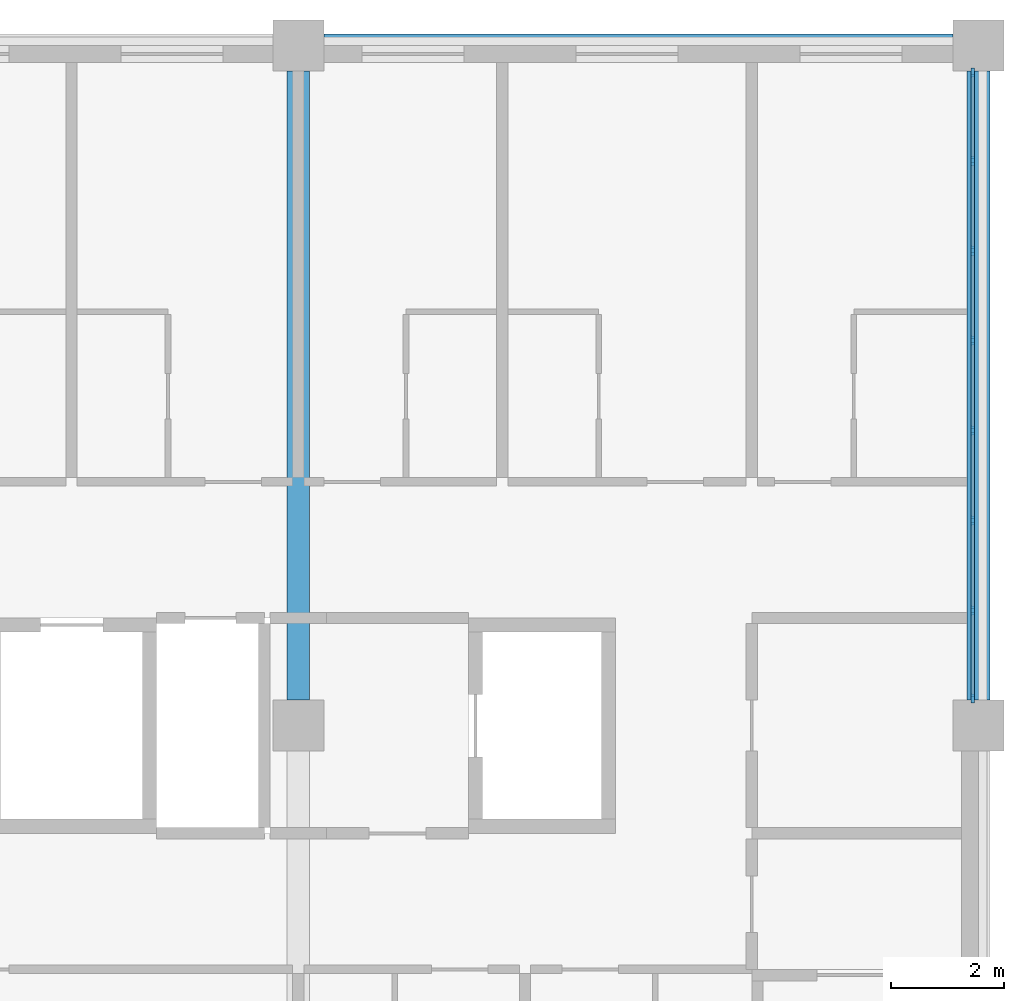
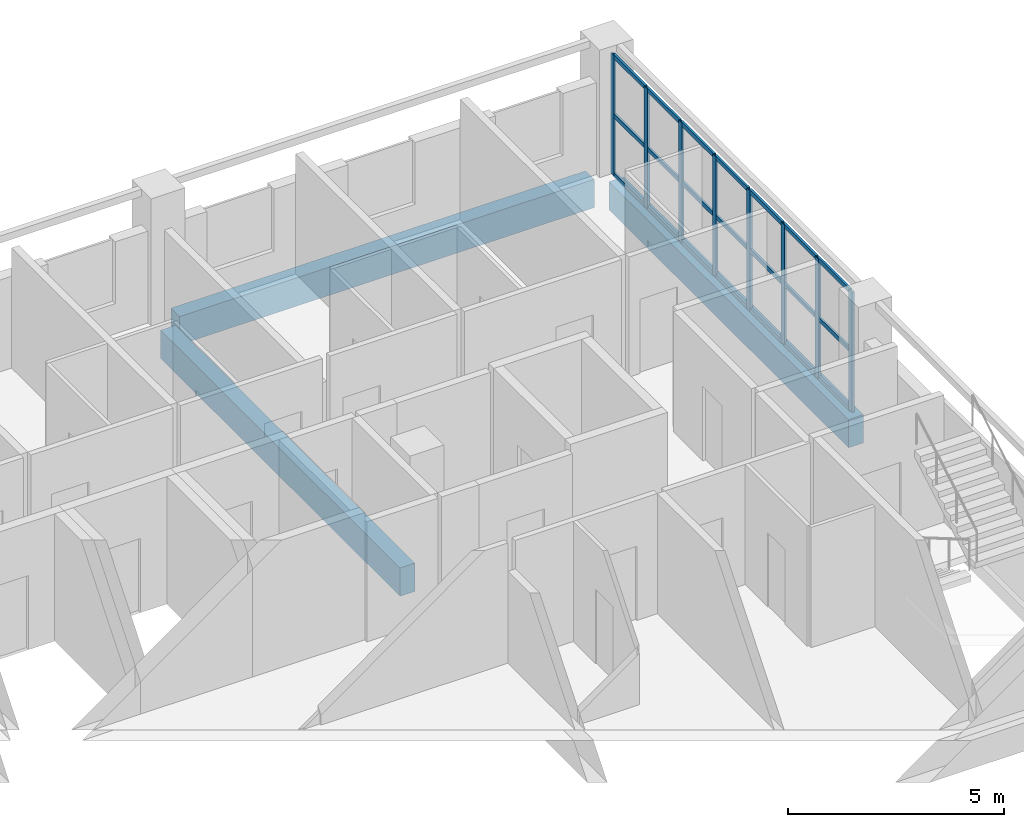
# One storey, part 4 of 11: 29 members, 3 beams, 1 element without a shape of its own.
"""IFC4 building model written with IfcOpenShell, lengths in metres."""

from ifc_helpers import new_model, si_unit, direction, frame, origin, origin_2d, place, context, subcontext, project, spatial, rectangle, extrude, material, layer, layer_set, material_profile, profile_set, type_object, element, aggregate, save


model = new_model("IFC4")

# Units and contexts
model_context = context("Model", 3, precision=1e-05, world=origin(), true_north=direction((0.0, 1.0)))
body_context = subcontext(model_context, "Body", "Model", "MODEL_VIEW")
ifc_project = project(units=[si_unit("LENGTHUNIT", "METRE"), si_unit("AREAUNIT", "SQUARE_METRE"), si_unit("VOLUMEUNIT", "CUBIC_METRE"), si_unit("PLANEANGLEUNIT", "RADIAN"), si_unit("MASSUNIT", "GRAM", prefix="KILO")], contexts=[model_context])

# Site, building, storey
site_placement = place(None, origin())
site = spatial("IfcSite", under=ifc_project, at=site_placement, CompositionType="ELEMENT")
building_placement = place(site_placement, origin())
building = spatial("IfcBuilding", under=site, at=building_placement, Name="Lilac Gate Convention Centre", CompositionType="ELEMENT")
storey_placement = place(building_placement, frame((0.0, 0.0, 31.800048828125)))
storey = spatial("IfcBuildingStorey", under=building, at=storey_placement, Name="L07", CompositionType="ELEMENT", Elevation=31.800048828125)

# Curtain wall, members
ifc_material_1 = material(Name="Aluminium framed double glazing", Category="aluminium")
ifc_layer = layer(ifc_material_1, 0.199951171875)
ifc_layer_set = layer_set([ifc_layer], Name="Aluminium framed double glazing")
curtain_wall_type = type_object("IfcCurtainWallType", Name="Unitised curtain wall 1500", PredefinedType="NOTDEFINED", material=ifc_layer_set)
curtain_wall_placement = place(storey_placement, origin())
curtain_wall = element("IfcCurtainWall", 1, at=curtain_wall_placement, inside=storey, type_object=curtain_wall_type, Name="Curtain wall E L07 2", PredefinedType="NOTDEFINED")
ifc_material_2 = material(Name="Aluminium alloy 6063", Category="aluminium")
ifc_material_profile_1 = material_profile(ifc_material_2, rectangle(XDim=0.06005859375, YDim=0.159912109375, at=origin_2d()), Name="Curtain wall mullion 60 x 160")
ifc_profile_set_1 = profile_set([ifc_material_profile_1], Name="Aluminium alloy 6063")
member_type_1 = type_object("IfcMemberType", Name="Curtain wall mullion 60 x 160", PredefinedType="MULLION", material=ifc_profile_set_1)
member_1_placement = place(storey_placement, frame((89.89990234375, 234.47998046875, 0.0), z_axis=(0.0, 0.0, 1.0), x_axis=(-1.0, 0.0, 0.0)))
member_1 = element("IfcMember", 2, at=member_1_placement, type_object=member_type_1, Name="CW mullion 1", PredefinedType="MULLION", context=body_context, shape_type="SweptSolid", body=[
    extrude(rectangle(XDim=0.06005859375, YDim=0.159912109375, at=origin_2d()), origin(), (0.0, 0.0, 1.0), 3.39990234375),
])
member_2_placement = place(storey_placement, frame((89.89990234375, 236.03564453125, 0.0), z_axis=(0.0, 0.0, 1.0), x_axis=(-1.0, 0.0, 0.0)))
member_2 = element("IfcMember", 3, at=member_2_placement, type_object=member_type_1, Name="CW mullion 2", PredefinedType="MULLION", context=body_context, shape_type="SweptSolid", body=[
    extrude(rectangle(XDim=0.06005859375, YDim=0.159912109375, at=origin_2d()), origin(), (0.0, 0.0, 1.0), 3.39990234375),
])
member_3_placement = place(storey_placement, frame((89.89990234375, 237.621337890625, 0.0), z_axis=(0.0, 0.0, 1.0), x_axis=(-1.0, 0.0, 0.0)))
member_3 = element("IfcMember", 4, at=member_3_placement, type_object=member_type_1, Name="CW mullion 3", PredefinedType="MULLION", context=body_context, shape_type="SweptSolid", body=[
    extrude(rectangle(XDim=0.06005859375, YDim=0.159912109375, at=origin_2d()), origin(), (0.0, 0.0, 1.0), 3.39990234375),
])
member_4_placement = place(storey_placement, frame((89.89990234375, 239.20703125, 0.0), z_axis=(0.0, 0.0, 1.0), x_axis=(-1.0, 0.0, 0.0)))
member_4 = element("IfcMember", 5, at=member_4_placement, type_object=member_type_1, Name="CW mullion 4", PredefinedType="MULLION", context=body_context, shape_type="SweptSolid", body=[
    extrude(rectangle(XDim=0.06005859375, YDim=0.159912109375, at=origin_2d()), origin(), (0.0, 0.0, 1.0), 3.39990234375),
])
member_5_placement = place(storey_placement, frame((89.89990234375, 240.79296875, 0.0), z_axis=(0.0, 0.0, 1.0), x_axis=(-1.0, 0.0, 0.0)))
member_5 = element("IfcMember", 6, at=member_5_placement, type_object=member_type_1, Name="CW mullion 5", PredefinedType="MULLION", context=body_context, shape_type="SweptSolid", body=[
    extrude(rectangle(XDim=0.06005859375, YDim=0.159912109375, at=origin_2d()), origin(), (0.0, 0.0, 1.0), 3.39990234375),
])
member_6_placement = place(storey_placement, frame((89.89990234375, 242.378662109375, 0.0), z_axis=(0.0, 0.0, 1.0), x_axis=(-1.0, 0.0, 0.0)))
member_6 = element("IfcMember", 7, at=member_6_placement, type_object=member_type_1, Name="CW mullion 6", PredefinedType="MULLION", context=body_context, shape_type="SweptSolid", body=[
    extrude(rectangle(XDim=0.06005859375, YDim=0.159912109375, at=origin_2d()), origin(), (0.0, 0.0, 1.0), 3.39990234375),
])
member_7_placement = place(storey_placement, frame((89.89990234375, 243.96435546875, 0.0), z_axis=(0.0, 0.0, 1.0), x_axis=(-1.0, 0.0, 0.0)))
member_7 = element("IfcMember", 8, at=member_7_placement, type_object=member_type_1, Name="CW mullion 7", PredefinedType="MULLION", context=body_context, shape_type="SweptSolid", body=[
    extrude(rectangle(XDim=0.06005859375, YDim=0.159912109375, at=origin_2d()), origin(), (0.0, 0.0, 1.0), 3.39990234375),
])
member_8_placement = place(storey_placement, frame((89.89990234375, 245.52001953125, 0.0), z_axis=(0.0, 0.0, 1.0), x_axis=(-1.0, 0.0, 0.0)))
member_8 = element("IfcMember", 9, at=member_8_placement, type_object=member_type_1, Name="CW mullion 8", PredefinedType="MULLION", context=body_context, shape_type="SweptSolid", body=[
    extrude(rectangle(XDim=0.06005859375, YDim=0.159912109375, at=origin_2d()), origin(), (0.0, 0.0, 1.0), 3.39990234375),
])
ifc_material_profile_2 = material_profile(ifc_material_2, rectangle(XDim=0.06005859375, YDim=0.1201171875, at=origin_2d()), Name="Curtain wall transom 60 x 120")
ifc_profile_set_2 = profile_set([ifc_material_profile_2], Name="Aluminium alloy 6063")
member_type_2 = type_object("IfcMemberType", Name="Curtain wall transom 60 x 120", PredefinedType="USERDEFINED", material=ifc_profile_set_2)
member_9_placement = place(storey_placement, frame((89.89990234375, 234.510009765625, 0.030029296875), z_axis=(0.0, 1.0, 0.0), x_axis=(-1.0, 0.0, 0.0)))
member_9 = element("IfcMember", 10, at=member_9_placement, type_object=member_type_2, Name="CW transom 1.1", ObjectType="TRANSOM", PredefinedType="USERDEFINED", context=body_context, shape_type="SweptSolid", body=[
    extrude(rectangle(XDim=0.06005859375, YDim=0.1201171875, at=origin_2d()), origin(), (0.0, 0.0, 1.0), 1.49560546875),
])
member_10_placement = place(storey_placement, frame((89.89990234375, 234.510009765625, 1.699951171875), z_axis=(0.0, 1.0, 0.0), x_axis=(-1.0, 0.0, 0.0)))
member_10 = element("IfcMember", 11, at=member_10_placement, type_object=member_type_2, Name="CW transom 1.2", ObjectType="TRANSOM", PredefinedType="USERDEFINED", context=body_context, shape_type="SweptSolid", body=[
    extrude(rectangle(XDim=0.06005859375, YDim=0.1201171875, at=origin_2d()), origin(), (0.0, 0.0, 1.0), 1.49560546875),
])
member_11_placement = place(storey_placement, frame((89.89990234375, 234.510009765625, 3.369873046875), z_axis=(0.0, 1.0, 0.0), x_axis=(-1.0, 0.0, 0.0)))
member_11 = element("IfcMember", 12, at=member_11_placement, type_object=member_type_2, Name="CW transom 1.3", ObjectType="TRANSOM", PredefinedType="USERDEFINED", context=body_context, shape_type="SweptSolid", body=[
    extrude(rectangle(XDim=0.06005859375, YDim=0.1201171875, at=origin_2d()), origin(), (0.0, 0.0, 1.0), 1.49560546875),
])
member_12_placement = place(storey_placement, frame((89.89990234375, 236.065673828125, 0.030029296875), z_axis=(0.0, 1.0, 0.0), x_axis=(-1.0, 0.0, 0.0)))
member_12 = element("IfcMember", 13, at=member_12_placement, type_object=member_type_2, Name="CW transom 2.1", ObjectType="TRANSOM", PredefinedType="USERDEFINED", context=body_context, shape_type="SweptSolid", body=[
    extrude(rectangle(XDim=0.06005859375, YDim=0.1201171875, at=origin_2d()), origin(), (0.0, 0.0, 1.0), 1.525634765625),
])
member_13_placement = place(storey_placement, frame((89.89990234375, 236.065673828125, 1.699951171875), z_axis=(0.0, 1.0, 0.0), x_axis=(-1.0, 0.0, 0.0)))
member_13 = element("IfcMember", 14, at=member_13_placement, type_object=member_type_2, Name="CW transom 2.2", ObjectType="TRANSOM", PredefinedType="USERDEFINED", context=body_context, shape_type="SweptSolid", body=[
    extrude(rectangle(XDim=0.06005859375, YDim=0.1201171875, at=origin_2d()), origin(), (0.0, 0.0, 1.0), 1.525634765625),
])
member_14_placement = place(storey_placement, frame((89.89990234375, 236.065673828125, 3.369873046875), z_axis=(0.0, 1.0, 0.0), x_axis=(-1.0, 0.0, 0.0)))
member_14 = element("IfcMember", 15, at=member_14_placement, type_object=member_type_2, Name="CW transom 2.3", ObjectType="TRANSOM", PredefinedType="USERDEFINED", context=body_context, shape_type="SweptSolid", body=[
    extrude(rectangle(XDim=0.06005859375, YDim=0.1201171875, at=origin_2d()), origin(), (0.0, 0.0, 1.0), 1.525634765625),
])
member_15_placement = place(storey_placement, frame((89.89990234375, 237.6513671875, 0.030029296875), z_axis=(0.0, 1.0, 0.0), x_axis=(-1.0, 0.0, 0.0)))
member_15 = element("IfcMember", 16, at=member_15_placement, type_object=member_type_2, Name="CW transom 3.1", ObjectType="TRANSOM", PredefinedType="USERDEFINED", context=body_context, shape_type="SweptSolid", body=[
    extrude(rectangle(XDim=0.06005859375, YDim=0.1201171875, at=origin_2d()), origin(), (0.0, 0.0, 1.0), 1.52587890625),
])
member_16_placement = place(storey_placement, frame((89.89990234375, 237.6513671875, 1.699951171875), z_axis=(0.0, 1.0, 0.0), x_axis=(-1.0, 0.0, 0.0)))
member_16 = element("IfcMember", 17, at=member_16_placement, type_object=member_type_2, Name="CW transom 3.2", ObjectType="TRANSOM", PredefinedType="USERDEFINED", context=body_context, shape_type="SweptSolid", body=[
    extrude(rectangle(XDim=0.06005859375, YDim=0.1201171875, at=origin_2d()), origin(), (0.0, 0.0, 1.0), 1.52587890625),
])
member_17_placement = place(storey_placement, frame((89.89990234375, 237.6513671875, 3.369873046875), z_axis=(0.0, 1.0, 0.0), x_axis=(-1.0, 0.0, 0.0)))
member_17 = element("IfcMember", 18, at=member_17_placement, type_object=member_type_2, Name="CW transom 3.3", ObjectType="TRANSOM", PredefinedType="USERDEFINED", context=body_context, shape_type="SweptSolid", body=[
    extrude(rectangle(XDim=0.06005859375, YDim=0.1201171875, at=origin_2d()), origin(), (0.0, 0.0, 1.0), 1.52587890625),
])
member_18_placement = place(storey_placement, frame((89.89990234375, 239.237060546875, 0.030029296875), z_axis=(0.0, 1.0, 0.0), x_axis=(-1.0, 0.0, 0.0)))
member_18 = element("IfcMember", 19, at=member_18_placement, type_object=member_type_2, Name="CW transom 4.1", ObjectType="TRANSOM", PredefinedType="USERDEFINED", context=body_context, shape_type="SweptSolid", body=[
    extrude(rectangle(XDim=0.06005859375, YDim=0.1201171875, at=origin_2d()), origin(), (0.0, 0.0, 1.0), 1.52587890625),
])
member_19_placement = place(storey_placement, frame((89.89990234375, 239.237060546875, 1.699951171875), z_axis=(0.0, 1.0, 0.0), x_axis=(-1.0, 0.0, 0.0)))
member_19 = element("IfcMember", 20, at=member_19_placement, type_object=member_type_2, Name="CW transom 4.2", ObjectType="TRANSOM", PredefinedType="USERDEFINED", context=body_context, shape_type="SweptSolid", body=[
    extrude(rectangle(XDim=0.06005859375, YDim=0.1201171875, at=origin_2d()), origin(), (0.0, 0.0, 1.0), 1.52587890625),
])
member_20_placement = place(storey_placement, frame((89.89990234375, 239.237060546875, 3.369873046875), z_axis=(0.0, 1.0, 0.0), x_axis=(-1.0, 0.0, 0.0)))
member_20 = element("IfcMember", 21, at=member_20_placement, type_object=member_type_2, Name="CW transom 4.3", ObjectType="TRANSOM", PredefinedType="USERDEFINED", context=body_context, shape_type="SweptSolid", body=[
    extrude(rectangle(XDim=0.06005859375, YDim=0.1201171875, at=origin_2d()), origin(), (0.0, 0.0, 1.0), 1.52587890625),
])
member_21_placement = place(storey_placement, frame((89.89990234375, 240.82275390625, 0.030029296875), z_axis=(0.0, 1.0, 0.0), x_axis=(-1.0, 0.0, 0.0)))
member_21 = element("IfcMember", 22, at=member_21_placement, type_object=member_type_2, Name="CW transom 5.1", ObjectType="TRANSOM", PredefinedType="USERDEFINED", context=body_context, shape_type="SweptSolid", body=[
    extrude(rectangle(XDim=0.06005859375, YDim=0.1201171875, at=origin_2d()), origin(), (0.0, 0.0, 1.0), 1.52587890625),
])
member_22_placement = place(storey_placement, frame((89.89990234375, 240.82275390625, 1.699951171875), z_axis=(0.0, 1.0, 0.0), x_axis=(-1.0, 0.0, 0.0)))
member_22 = element("IfcMember", 23, at=member_22_placement, type_object=member_type_2, Name="CW transom 5.2", ObjectType="TRANSOM", PredefinedType="USERDEFINED", context=body_context, shape_type="SweptSolid", body=[
    extrude(rectangle(XDim=0.06005859375, YDim=0.1201171875, at=origin_2d()), origin(), (0.0, 0.0, 1.0), 1.52587890625),
])
member_23_placement = place(storey_placement, frame((89.89990234375, 240.82275390625, 3.369873046875), z_axis=(0.0, 1.0, 0.0), x_axis=(-1.0, 0.0, 0.0)))
member_23 = element("IfcMember", 24, at=member_23_placement, type_object=member_type_2, Name="CW transom 5.3", ObjectType="TRANSOM", PredefinedType="USERDEFINED", context=body_context, shape_type="SweptSolid", body=[
    extrude(rectangle(XDim=0.06005859375, YDim=0.1201171875, at=origin_2d()), origin(), (0.0, 0.0, 1.0), 1.52587890625),
])
member_24_placement = place(storey_placement, frame((89.89990234375, 242.40869140625, 0.030029296875), z_axis=(0.0, 1.0, 0.0), x_axis=(-1.0, 0.0, 0.0)))
member_24 = element("IfcMember", 25, at=member_24_placement, type_object=member_type_2, Name="CW transom 6.1", ObjectType="TRANSOM", PredefinedType="USERDEFINED", context=body_context, shape_type="SweptSolid", body=[
    extrude(rectangle(XDim=0.06005859375, YDim=0.1201171875, at=origin_2d()), origin(), (0.0, 0.0, 1.0), 1.525634765625),
])
member_25_placement = place(storey_placement, frame((89.89990234375, 242.40869140625, 1.699951171875), z_axis=(0.0, 1.0, 0.0), x_axis=(-1.0, 0.0, 0.0)))
member_25 = element("IfcMember", 26, at=member_25_placement, type_object=member_type_2, Name="CW transom 6.2", ObjectType="TRANSOM", PredefinedType="USERDEFINED", context=body_context, shape_type="SweptSolid", body=[
    extrude(rectangle(XDim=0.06005859375, YDim=0.1201171875, at=origin_2d()), origin(), (0.0, 0.0, 1.0), 1.525634765625),
])
member_26_placement = place(storey_placement, frame((89.89990234375, 242.40869140625, 3.369873046875), z_axis=(0.0, 1.0, 0.0), x_axis=(-1.0, 0.0, 0.0)))
member_26 = element("IfcMember", 27, at=member_26_placement, type_object=member_type_2, Name="CW transom 6.3", ObjectType="TRANSOM", PredefinedType="USERDEFINED", context=body_context, shape_type="SweptSolid", body=[
    extrude(rectangle(XDim=0.06005859375, YDim=0.1201171875, at=origin_2d()), origin(), (0.0, 0.0, 1.0), 1.525634765625),
])
member_27_placement = place(storey_placement, frame((89.89990234375, 243.994384765625, 0.030029296875), z_axis=(0.0, 1.0, 0.0), x_axis=(-1.0, 0.0, 0.0)))
member_27 = element("IfcMember", 28, at=member_27_placement, type_object=member_type_2, Name="CW transom 7.1", ObjectType="TRANSOM", PredefinedType="USERDEFINED", context=body_context, shape_type="SweptSolid", body=[
    extrude(rectangle(XDim=0.06005859375, YDim=0.1201171875, at=origin_2d()), origin(), (0.0, 0.0, 1.0), 1.49560546875),
])
member_28_placement = place(storey_placement, frame((89.89990234375, 243.994384765625, 1.699951171875), z_axis=(0.0, 1.0, 0.0), x_axis=(-1.0, 0.0, 0.0)))
member_28 = element("IfcMember", 29, at=member_28_placement, type_object=member_type_2, Name="CW transom 7.2", ObjectType="TRANSOM", PredefinedType="USERDEFINED", context=body_context, shape_type="SweptSolid", body=[
    extrude(rectangle(XDim=0.06005859375, YDim=0.1201171875, at=origin_2d()), origin(), (0.0, 0.0, 1.0), 1.49560546875),
])
member_29_placement = place(storey_placement, frame((89.89990234375, 243.994384765625, 3.369873046875), z_axis=(0.0, 1.0, 0.0), x_axis=(-1.0, 0.0, 0.0)))
member_29 = element("IfcMember", 30, at=member_29_placement, type_object=member_type_2, Name="CW transom 7.3", ObjectType="TRANSOM", PredefinedType="USERDEFINED", context=body_context, shape_type="SweptSolid", body=[
    extrude(rectangle(XDim=0.06005859375, YDim=0.1201171875, at=origin_2d()), origin(), (0.0, 0.0, 1.0), 1.49560546875),
])
aggregate(curtain_wall, [member_1, member_2, member_3, member_4, member_5, member_6, member_7, member_8, member_9, member_10, member_11, member_12, member_13, member_14, member_15, member_16, member_17, member_18, member_19, member_20, member_21, member_22, member_23, member_24, member_25, member_26, member_27, member_28, member_29])

# Beams
ifc_material_3 = material(Name="Concrete C40", Category="concrete")
ifc_material_profile_3 = material_profile(ifc_material_3, rectangle(XDim=0.39990234375, YDim=0.800048828125, at=origin_2d()), Name="RC 400x800")
ifc_profile_set_3 = profile_set([ifc_material_profile_3], Name="Concrete C40")
beam_type = type_object("IfcBeamType", Name="Tower primary beam 400x800 C40", PredefinedType="BEAM", material=ifc_profile_set_3)
for number, where, z_axis, x_axis, name in (
    (31, (78.449951171875, 246.0, -0.60009765625), (1.0, 0.0, 0.0), (0.0, 1.0, 0.0), "RB3 L07 7/U-8/U"),
    (32, (78.0, 234.449951171875, -0.60009765625), (0.0, 1.0, 0.0), (-1.0, 0.0, 0.0), "RB3 L07 7/T-7/U"),
    (33, (90.0, 234.449951171875, -0.60009765625), (0.0, 1.0, 0.0), (-1.0, 0.0, 0.0), "RB3 L07 8/T-8/U"),
):
    element("IfcBeam", number, at=place(storey_placement, frame(where, z_axis=z_axis, x_axis=x_axis)), inside=storey, type_object=beam_type, Name=name, PredefinedType="BEAM", context=body_context, shape_type="SweptSolid", body=[
        extrude(rectangle(XDim=0.39990234375, YDim=0.800048828125, at=origin_2d()), origin(), (0.0, 0.0, 1.0), 11.10009765625),
    ])

save(model, "model.ifc")
